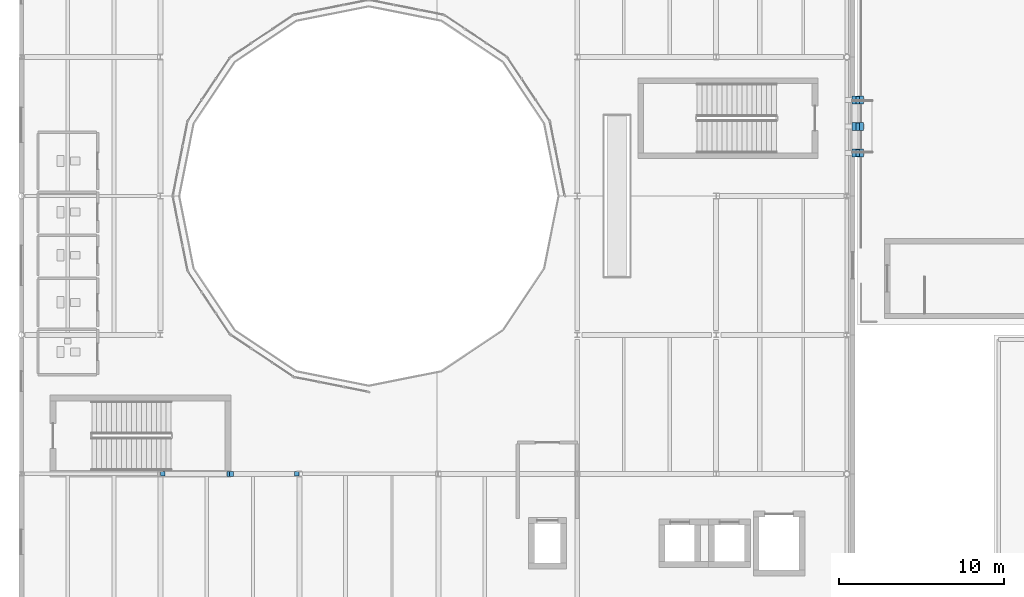
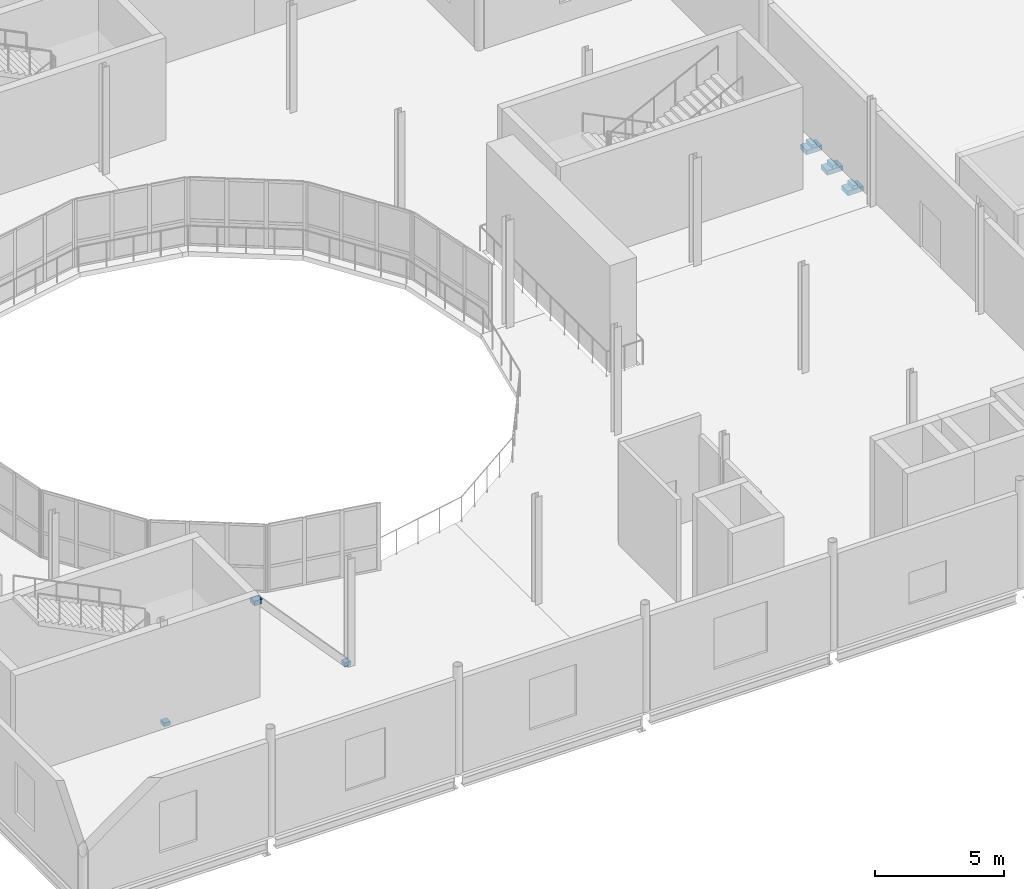
# One storey, part 73 of 91: 10 discrete accessories.
"""IFC4 building model written with IfcOpenShell, lengths in metres."""

from ifc_helpers import new_model, si_unit, direction, frame, origin, origin_2d, place, context, subcontext, project, spatial, rectangle, extrude, material, type_object, element, save


model = new_model("IFC4")

# Units and contexts
model_context = context("Model", 3, precision=1e-05, world=origin(), true_north=direction((0.0, 1.0)))
body_context = subcontext(model_context, "Body", "Model", "MODEL_VIEW")
ifc_project = project(units=[si_unit("LENGTHUNIT", "METRE"), si_unit("AREAUNIT", "SQUARE_METRE"), si_unit("VOLUMEUNIT", "CUBIC_METRE"), si_unit("PLANEANGLEUNIT", "RADIAN"), si_unit("MASSUNIT", "GRAM", prefix="KILO"), si_unit("THERMODYNAMICTEMPERATUREUNIT", "KELVIN")], contexts=[model_context])

# Site, building, storey
site_placement = place(None, origin())
site = spatial("IfcSite", under=ifc_project, at=site_placement, CompositionType="ELEMENT")
building_placement = place(site_placement, origin())
building = spatial("IfcBuilding", under=site, at=building_placement, Name="Lustrewick Department Store", CompositionType="ELEMENT")
storey_placement = place(building_placement, frame((0.0, 0.0, 21.60009765625)))
storey = spatial("IfcBuildingStorey", under=building, at=storey_placement, Name="L05", CompositionType="ELEMENT", Elevation=21.60009765625)

# Discrete accessories
ifc_material = material(Name="Structural steel Q355C", Category="steel")
discrete_accessory_type_1 = type_object("IfcDiscreteAccessoryType", Name="GUS-NODE", PredefinedType="BRACKET", material=ifc_material)
for number, where, z_axis, x_axis, name in (
    (1, (16.949951171875, 50.39990234375, 0.06005859375), (0.0, 0.0, 1.0), (1.0, 0.0, 0.0), "L05 V1 Brace Base Gusset Plate"),
    (2, (25.050048828125, 50.39990234375, 0.06005859375), (0.0, 0.0, 1.0), (1.0, 0.0, 0.0), "L05 V1 Brace Base Gusset Plate"),
):
    element("IfcDiscreteAccessory", number, at=place(storey_placement, frame(where, z_axis=z_axis, x_axis=x_axis)), inside=storey, type_object=discrete_accessory_type_1, Name=name, PredefinedType="BRACKET", context=body_context, shape_type="SweptSolid", body=[
        extrude(rectangle(XDim=0.280029296875, YDim=0.280029296875, at=origin_2d()), origin(), (0.0, 0.0, 1.0), 0.179931640625),
    ])
discrete_accessory_1_placement = place(storey_placement, frame((21.0, 50.39990234375, 4.384765625), z_axis=(0.0, 0.0, 1.0), x_axis=(1.0, 0.0, 0.0)))
element("IfcDiscreteAccessory", 3, at=discrete_accessory_1_placement, inside=storey, type_object=discrete_accessory_type_1, Name="L05 V1 Chevron Brace Apex Gusset Plate", PredefinedType="BRACKET", context=body_context, shape_type="SweptSolid", body=[
    extrude(rectangle(XDim=0.320068359375, YDim=0.320068359375, at=origin_2d()), origin(), (0.0, 0.0, 1.0), 0.219970703125),
])
discrete_accessory_type_2 = type_object("IfcDiscreteAccessoryType", Name="SB-CORBEL", PredefinedType="BRACKET", material=ifc_material)
for number, where, z_axis, x_axis, name in (
    (4, (58.949951171875, 69.800048828125, -1.11328125), (0.0, 0.0, 1.0), (1.0, 0.0, 0.0), "L05 Skybridge SB12 700 mm Bearing Seat Corbel 1"),
    (5, (58.949951171875, 71.39990234375, -1.11328125), (0.0, 0.0, 1.0), (1.0, 0.0, 0.0), "L05 Skybridge SB12 700 mm Bearing Seat Corbel 2"),
    (6, (58.949951171875, 73.0, -1.11328125), (0.0, 0.0, 1.0), (1.0, 0.0, 0.0), "L05 Skybridge SB12 700 mm Bearing Seat Corbel 3"),
):
    element("IfcDiscreteAccessory", number, at=place(storey_placement, frame(where, z_axis=z_axis, x_axis=x_axis)), inside=storey, type_object=discrete_accessory_type_2, Name=name, PredefinedType="BRACKET", context=body_context, shape_type="SweptSolid", body=[
        extrude(rectangle(XDim=0.699951171875, YDim=0.47998046875, at=origin_2d()), origin(), (0.0, 0.0, 1.0), 0.219970703125),
    ])
discrete_accessory_type_3 = type_object("IfcDiscreteAccessoryType", Name="SB-PTFE", PredefinedType="BRACKET", material=ifc_material)
for number, where, z_axis, x_axis, name in (
    (7, (58.949951171875, 69.800048828125, -0.89306640625), (0.0, 0.0, 1.0), (1.0, 0.0, 0.0), "L05 Skybridge SB12 PTFE Sliding Bearing 1"),
    (8, (58.949951171875, 71.39990234375, -0.89306640625), (0.0, 0.0, 1.0), (1.0, 0.0, 0.0), "L05 Skybridge SB12 PTFE Sliding Bearing 2"),
    (9, (58.949951171875, 73.0, -0.89306640625), (0.0, 0.0, 1.0), (1.0, 0.0, 0.0), "L05 Skybridge SB12 PTFE Sliding Bearing 3"),
):
    element("IfcDiscreteAccessory", number, at=place(storey_placement, frame(where, z_axis=z_axis, x_axis=x_axis)), inside=storey, type_object=discrete_accessory_type_3, Name=name, PredefinedType="BRACKET", context=body_context, shape_type="SweptSolid", body=[
        extrude(rectangle(XDim=0.199951171875, YDim=0.449951171875, at=origin_2d()), origin(), (0.0, 0.0, 1.0), 0.159912109375),
    ])
discrete_accessory_type_4 = type_object("IfcDiscreteAccessoryType", Name="ECP-01", PredefinedType="USERDEFINED", material=ifc_material)
discrete_accessory_2_placement = place(storey_placement, frame((21.10400390625, 50.39990234375, 4.490478515625), z_axis=(-0.672670724561, 0.0, 0.739941954695), x_axis=(0.0, -1.0, 0.0)))
element("IfcDiscreteAccessory", 10, at=discrete_accessory_2_placement, inside=storey, type_object=discrete_accessory_type_4, Name="L05 Welded Hollow-Section End-Cap Plate ECP-01", ObjectType="END_CAP_PLATE", PredefinedType="USERDEFINED", context=body_context, shape_type="SweptSolid", body=[
    extrude(rectangle(XDim=0.300048828125, YDim=0.300048828125, at=origin_2d()), origin(), (0.0, 0.0, 1.0), 0.01611328125),
])

save(model, "model.ifc")
